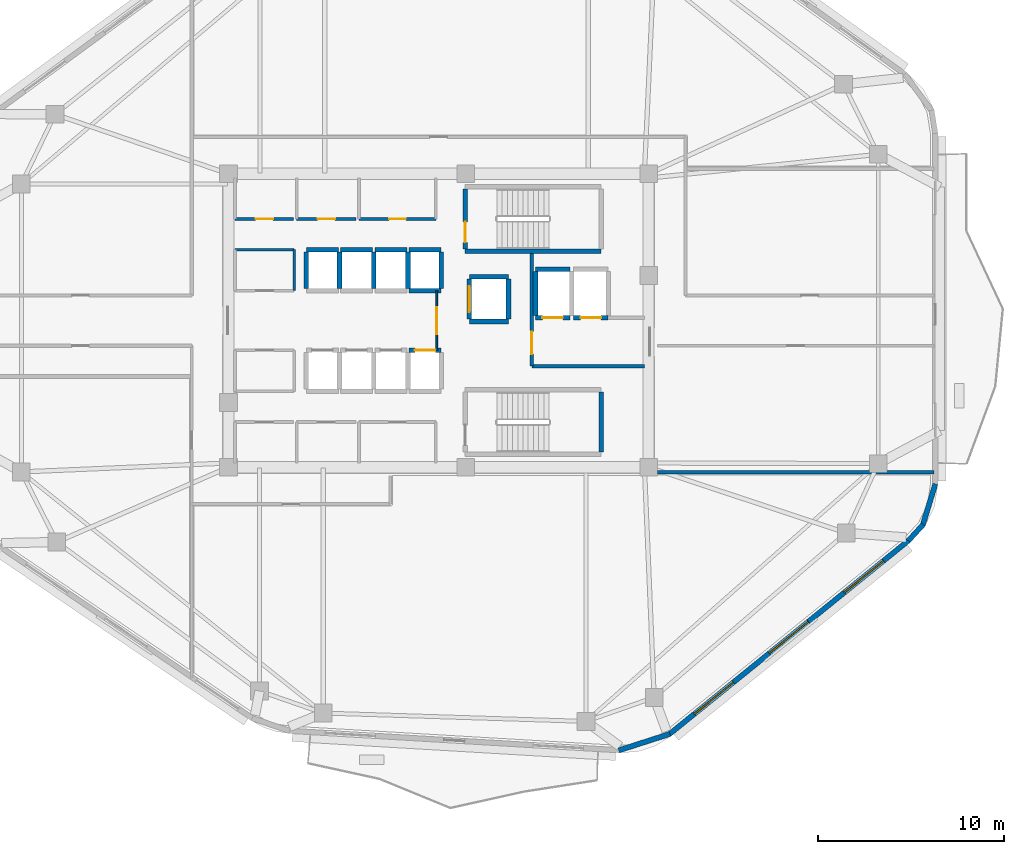
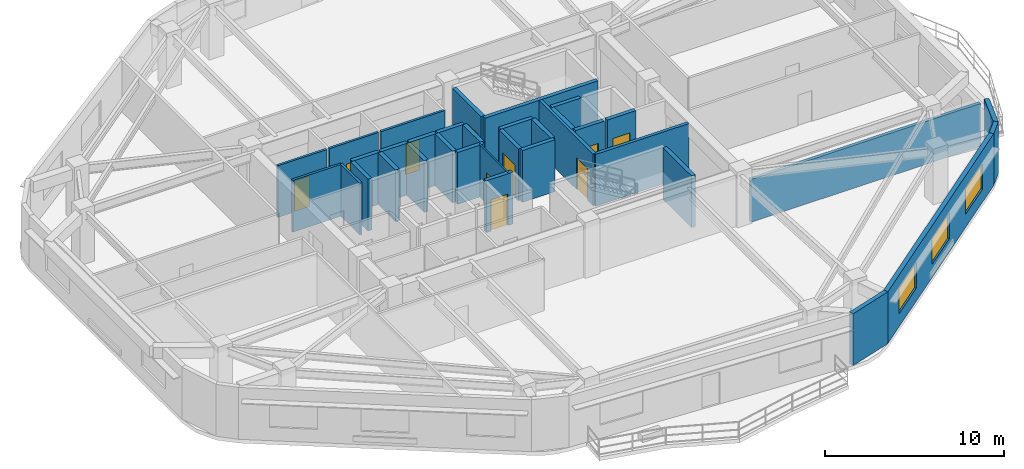
# One storey, part 4 of 8: 35 walls, 10 doors, 3 windows, 13 openings.
"""IFC4 building model written with IfcOpenShell, lengths in metres."""

from ifc_helpers import new_model, si_unit, direction, frame, frame_2d, origin, place, context, subcontext, project, spatial, rectangle, extrude, material, layer, layer_set, type_object, element, fill, save


model = new_model("IFC4")

# Units and contexts
model_context = context("Model", 3, precision=1e-05, world=origin(), true_north=direction((0.0, 1.0)))
body_context = subcontext(model_context, "Body", "Model", "MODEL_VIEW")
ifc_project = project(units=[si_unit("LENGTHUNIT", "METRE"), si_unit("AREAUNIT", "SQUARE_METRE"), si_unit("VOLUMEUNIT", "CUBIC_METRE"), si_unit("PLANEANGLEUNIT", "RADIAN"), si_unit("MASSUNIT", "GRAM", prefix="KILO")], contexts=[model_context])

# Site, building, storey
site_placement = place(None, origin())
site = spatial("IfcSite", under=ifc_project, at=site_placement, CompositionType="ELEMENT")
building_placement = place(site_placement, origin())
building = spatial("IfcBuilding", under=site, at=building_placement, Name="Zulverin Broadcast Headquarters", CompositionType="ELEMENT")
storey_placement = place(building_placement, frame((0.0, 0.0, 204.800048828125)))
storey = spatial("IfcBuildingStorey", under=building, at=storey_placement, Name="L52", CompositionType="ELEMENT", Elevation=204.800048828125)

# Wall
ifc_material_1 = material(Name="Acoustic drywall steel stud", Category="steel")
ifc_layer_1 = layer(ifc_material_1, 0.199951171875, Name="Acoustic drywall steel stud", Category="steel")
ifc_layer_set_1 = layer_set([ifc_layer_1], Name="Acoustic drywall steel stud")
wall_type_1 = type_object("IfcWallType", Name="WL-ACOU-200", PredefinedType="PARTITIONING", material=ifc_layer_set_1)
wall_1_placement = place(storey_placement, frame((48.739990234375, 17.050048828125, 0.0), z_axis=(0.0, 0.0, 1.0), x_axis=(1.0, 0.0, 0.0)))
element("IfcWall", 1, at=wall_1_placement, inside=storey, type_object=wall_type_1, Name="L52 Room Partition Wall RP-06", PredefinedType="PARTITIONING", context=body_context, shape_type="SweptSolid", body=[
    extrude(rectangle(XDim=14.85498046875, YDim=0.199951171875, at=frame_2d((7.427490234375, 0.0))), origin(), (0.0, 0.0, 1.0), 2.9228515625),
])

# Wall, openings, windows
ifc_material_2 = material(Name="Insulated pale-metal clad concrete spandrel C40/50", Category="concrete")
ifc_layer_2 = layer(ifc_material_2, 0.280029296875, Name="Insulated pale-metal clad concrete spandrel C40/50", Category="concrete")
ifc_layer_set_2 = layer_set([ifc_layer_2], Name="Insulated pale-metal clad concrete spandrel C40/50")
wall_type_2 = type_object("IfcWallType", Name="WL-EXT-280", PredefinedType="STANDARD", material=ifc_layer_set_2)
wall_2_placement = place(storey_placement, frame((49.372314453125, 2.98388671875, 0.0), z_axis=(0.0, 0.0, 1.0), x_axis=(0.777278899851, 0.629156190343, 0.0)))
wall_2 = element("IfcWall", 2, at=wall_2_placement, inside=storey, type_object=wall_type_2, Name="L52 Pale-Metal Clad Spandrel Wall 2", PredefinedType="STANDARD", context=body_context, shape_type="SweptSolid", body=[
    extrude(rectangle(XDim=16.5400390625, YDim=0.280029296875, at=frame_2d((8.27001953125, 0.0))), origin(), (0.0, 0.0, 1.0), 3.5400390625),
])
opening_1_placement = place(wall_2_placement, frame((1.739990234375, 0.0, 0.89990234375)))
opening_1 = element("IfcOpeningElement", 3, at=opening_1_placement, cuts=wall_2, Name="Opening W-L52-E21", PredefinedType="OPENING", context=body_context, shape_type="SweptSolid", body=[
    extrude(rectangle(XDim=2.699951171875, YDim=1.75, at=frame_2d((1.35009765625, 0.875))), frame((0.0, 0.14990234375, 0.0), z_axis=(0.0, -1.0, 0.0), x_axis=(1.0, 0.0, 0.0)), (0.0, 0.0, 1.0), 0.300048828125),
])
opening_2_placement = place(wall_2_placement, frame((6.919921875, 0.0, 0.89990234375)))
opening_2 = element("IfcOpeningElement", 4, at=opening_2_placement, cuts=wall_2, Name="Opening W-L52-E22", PredefinedType="OPENING", context=body_context, shape_type="SweptSolid", body=[
    extrude(rectangle(XDim=2.699951171875, YDim=1.75, at=frame_2d((1.35009765625, 0.875))), frame((0.0, 0.14990234375, 0.0), z_axis=(0.0, -1.0, 0.0), x_axis=(1.0, 0.0, 0.0)), (0.0, 0.0, 1.0), 0.300048828125),
])
opening_3_placement = place(wall_2_placement, frame((12.10009765625, 0.0, 0.89990234375)))
opening_3 = element("IfcOpeningElement", 5, at=opening_3_placement, cuts=wall_2, Name="Opening W-L52-E23", PredefinedType="OPENING", context=body_context, shape_type="SweptSolid", body=[
    extrude(rectangle(XDim=2.699951171875, YDim=1.75, at=frame_2d((1.35009765625, 0.875))), frame((0.0, 0.14990234375, 0.0), z_axis=(0.0, -1.0, 0.0), x_axis=(1.0, 0.0, 0.0)), (0.0, 0.0, 1.0), 0.300048828125),
])
ifc_material_3 = material(Name="Pale anodized aluminium frame with solar-control low-E double glazing", Category="aluminium")
window_type = type_object("IfcWindowType", Name="WIN-TWR-2700", PartitioningType="SINGLE_PANEL", PredefinedType="WINDOW", material=ifc_material_3)
window_1_placement = place(opening_1_placement, origin())
window_1 = element("IfcWindow", 6, at=window_1_placement, inside=storey, type_object=window_type, Name="L52 Ribbon Glazing Window 2 1", OverallHeight=1.75, OverallWidth=2.699951171875, PartitioningType="SINGLE_PANEL", PredefinedType="WINDOW", context=body_context, shape_type="SweptSolid", body=[
    extrude(rectangle(XDim=2.699951171875, YDim=1.75, at=frame_2d((1.35009765625, 0.875))), frame((0.0, 0.030029296875, 0.0), z_axis=(0.0, -1.0, 0.0), x_axis=(1.0, 0.0, 0.0)), (0.0, 0.0, 1.0), 0.06005859375),
])
fill(opening_1, window_1)
window_2_placement = place(opening_2_placement, origin())
window_2 = element("IfcWindow", 7, at=window_2_placement, inside=storey, type_object=window_type, Name="L52 Ribbon Glazing Window 2 2", OverallHeight=1.75, OverallWidth=2.699951171875, PartitioningType="SINGLE_PANEL", PredefinedType="WINDOW", context=body_context, shape_type="SweptSolid", body=[
    extrude(rectangle(XDim=2.699951171875, YDim=1.75, at=frame_2d((1.35009765625, 0.875))), frame((0.0, 0.030029296875, 0.0), z_axis=(0.0, -1.0, 0.0), x_axis=(1.0, 0.0, 0.0)), (0.0, 0.0, 1.0), 0.06005859375),
])
fill(opening_2, window_2)
window_3_placement = place(opening_3_placement, origin())
window_3 = element("IfcWindow", 8, at=window_3_placement, inside=storey, type_object=window_type, Name="L52 Ribbon Glazing Window 2 3", OverallHeight=1.75, OverallWidth=2.699951171875, PartitioningType="SINGLE_PANEL", PredefinedType="WINDOW", context=body_context, shape_type="SweptSolid", body=[
    extrude(rectangle(XDim=2.699951171875, YDim=1.75, at=frame_2d((1.35009765625, 0.875))), frame((0.0, 0.030029296875, 0.0), z_axis=(0.0, -1.0, 0.0), x_axis=(1.0, 0.0, 0.0)), (0.0, 0.0, 1.0), 0.06005859375),
])
fill(opening_3, window_3)

# Walls
wall_3_placement = place(storey_placement, frame((46.666259765625, 2.124267578125, 0.0), z_axis=(0.0, 0.0, 1.0), x_axis=(0.952065470694, 0.305894327363, 0.0)))
element("IfcWall", 9, at=wall_3_placement, inside=storey, type_object=wall_type_2, Name="L52 Wind-Shaped Corner Spandrel Wall 1-1", PredefinedType="STANDARD", context=body_context, shape_type="SweptSolid", body=[
    extrude(rectangle(XDim=2.889892578125, YDim=0.280029296875, at=frame_2d((1.44482421875, 0.0))), origin(), (0.0, 0.0, 1.0), 3.5400390625),
])
wall_4_placement = place(storey_placement, frame((62.21337890625, 13.3759765625, 0.0), z_axis=(0.0, 0.0, 1.0), x_axis=(0.675790054291, 0.737094161232, 0.0)))
element("IfcWall", 10, at=wall_4_placement, inside=storey, type_object=wall_type_2, Name="L52 Wind-Shaped Corner Spandrel Wall 2-1", PredefinedType="STANDARD", context=body_context, shape_type="SweptSolid", body=[
    extrude(rectangle(XDim=1.182861328125, YDim=0.280029296875, at=frame_2d((0.59130859375, 0.0))), origin(), (0.0, 0.0, 1.0), 3.5400390625),
])
wall_5_placement = place(storey_placement, frame((62.98193359375, 14.194091796875, 0.0), z_axis=(0.0, 0.0, 1.0), x_axis=(0.292398811023, 0.956296468315, 0.0)))
element("IfcWall", 11, at=wall_5_placement, inside=storey, type_object=wall_type_2, Name="L52 Wind-Shaped Corner Spandrel Wall 2-2", PredefinedType="STANDARD", context=body_context, shape_type="SweptSolid", body=[
    extrude(rectangle(XDim=2.339599609375, YDim=0.280029296875, at=frame_2d((1.169921875, 0.0))), origin(), (0.0, 0.0, 1.0), 3.5400390625),
])

# Wall, opening, door
ifc_material_4 = material(Name="Concrete C40/50", Category="concrete")
ifc_layer_3 = layer(ifc_material_4, 0.199951171875, Name="Concrete C40/50", Category="concrete")
ifc_layer_set_3 = layer_set([ifc_layer_3], Name="Concrete C40/50")
wall_type_3 = type_object("IfcWallType", Name="WL-FFL-200", PredefinedType="SOLIDWALL", material=ifc_layer_set_3)
wall_6_placement = place(storey_placement, frame((42.0, 22.75, 0.0), z_axis=(0.0, 0.0, 1.0), x_axis=(0.0, 1.0, 0.0)))
wall_6 = element("IfcWall", 12, at=wall_6_placement, inside=storey, type_object=wall_type_3, Name="L52 Firefighting Lift Lobby West Wall", PredefinedType="SOLIDWALL", context=body_context, shape_type="SweptSolid", body=[
    extrude(rectangle(XDim=6.050048828125, YDim=0.199951171875, at=frame_2d((3.02490234375, 0.0))), origin(), (0.0, 0.0, 1.0), 3.5400390625),
])
opening_4_placement = place(wall_6_placement, frame((0.64990234375, 0.0, 0.0)))
opening_4 = element("IfcOpeningElement", 13, at=opening_4_placement, cuts=wall_6, Name="Opening D-L52-FFLW", PredefinedType="OPENING", context=body_context, shape_type="SweptSolid", body=[
    extrude(rectangle(XDim=1.199951171875, YDim=2.14990234375, at=frame_2d((0.60009765625, 1.074951171875))), frame((0.0, 0.10986328125, 0.0), z_axis=(0.0, -1.0, 0.0), x_axis=(1.0, 0.0, 0.0)), (0.0, 0.0, 1.0), 0.219970703125),
])
ifc_material_5 = material(Name="Fire-rated steel leaf and frame", Category="steel")
door_type_1 = type_object("IfcDoorType", Name="DR-FFL-1200", OperationType="SINGLE_SWING_RIGHT", PredefinedType="DOOR", material=ifc_material_5)
door_1_placement = place(opening_4_placement, origin())
door_1 = element("IfcDoor", 14, at=door_1_placement, inside=storey, type_object=door_type_1, Name="L52 Firefighting Lift Lobby Door", OperationType="SINGLE_SWING_RIGHT", OverallHeight=2.14990234375, OverallWidth=1.199951171875, PredefinedType="DOOR", context=body_context, shape_type="SweptSolid", body=[
    extrude(rectangle(XDim=1.199951171875, YDim=2.14990234375, at=frame_2d((0.60009765625, 1.074951171875))), frame((0.0, 0.02490234375, 0.0), z_axis=(0.0, -1.0, 0.0), x_axis=(1.0, 0.0, 0.0)), (0.0, 0.0, 1.0), 0.050048828125),
])
fill(opening_4, door_1)

# Wall
wall_7_placement = place(storey_placement, frame((42.0, 22.75, 0.0), z_axis=(0.0, 0.0, 1.0), x_axis=(1.0, 0.0, 0.0)))
element("IfcWall", 15, at=wall_7_placement, inside=storey, type_object=wall_type_3, Name="L52 Firefighting Lift Lobby South Wall", PredefinedType="SOLIDWALL", context=body_context, shape_type="SweptSolid", body=[
    extrude(rectangle(XDim=6.050048828125, YDim=0.199951171875, at=frame_2d((3.02490234375, 0.0))), origin(), (0.0, 0.0, 1.0), 3.5400390625),
])

# Wall, opening, door
ifc_material_6 = material(Name="Fire-rated acoustic laminated glass screen", Category="glass")
ifc_layer_4 = layer(ifc_material_6, 0.10009765625, Name="Fire-rated acoustic laminated glass screen", Category="glass")
ifc_layer_set_4 = layer_set([ifc_layer_4], Name="Fire-rated acoustic laminated glass screen")
wall_type_4 = type_object("IfcWallType", Name="WL-GLAZ-100", PredefinedType="PARTITIONING", material=ifc_layer_set_4)
wall_8_placement = place(storey_placement, frame((36.89990234375, 23.60009765625, 0.0), z_axis=(0.0, 0.0, 1.0), x_axis=(0.0, 1.0, 0.0)))
wall_8 = element("IfcWall", 16, at=wall_8_placement, inside=storey, type_object=wall_type_4, Name="L52 Core Goods & Stair Hall Screen", PredefinedType="PARTITIONING", context=body_context, shape_type="SweptSolid", body=[
    extrude(rectangle(XDim=3.199951171875, YDim=0.10009765625, at=frame_2d((1.60009765625, 0.0))), origin(), (0.0, 0.0, 1.0), 3.5400390625),
])
opening_5_placement = place(wall_8_placement, frame((0.85009765625, 0.0, 0.0)))
opening_5 = element("IfcOpeningElement", 17, at=opening_5_placement, cuts=wall_8, Name="Opening D-L52-CL3", PredefinedType="OPENING", context=body_context, shape_type="SweptSolid", body=[
    extrude(rectangle(XDim=1.449951171875, YDim=2.1201171875, at=frame_2d((0.72509765625, 1.06005859375))), frame((0.0, 0.06005859375, 0.0), z_axis=(0.0, -1.0, 0.0), x_axis=(1.0, 0.0, 0.0)), (0.0, 0.0, 1.0), 0.1201171875),
])
ifc_material_7 = material(Name="Fire-rated acoustic glazed double leaf", Category="glass")
door_type_2 = type_object("IfcDoorType", Name="DR-GLZ-1450", OperationType="DOUBLE_DOOR_SINGLE_SWING", PredefinedType="DOOR", material=ifc_material_7)
door_2_placement = place(opening_5_placement, origin())
door_2 = element("IfcDoor", 18, at=door_2_placement, inside=storey, type_object=door_type_2, Name="L52 Core Goods & Stair Hall Door", OperationType="DOUBLE_DOOR_SINGLE_SWING", OverallHeight=2.1201171875, OverallWidth=1.449951171875, PredefinedType="DOOR", context=body_context, shape_type="SweptSolid", body=[
    extrude(rectangle(XDim=1.449951171875, YDim=2.1201171875, at=frame_2d((0.72509765625, 1.06005859375))), frame((0.0, 0.02490234375, 0.0), z_axis=(0.0, -1.0, 0.0), x_axis=(1.0, 0.0, 0.0)), (0.0, 0.0, 1.0), 0.050048828125),
])
fill(opening_5, door_2)

ifc_material_8 = material(Name="Fire-rated gypsum stud partition", Category="gypsum")
ifc_layer_5 = layer(ifc_material_8, 0.14990234375, Name="Fire-rated gypsum stud partition", Category="gypsum")
ifc_layer_set_5 = layer_set([ifc_layer_5], Name="Fire-rated gypsum stud partition")
wall_type_5 = type_object("IfcWallType", Name="WL-PART-150", PredefinedType="PARTITIONING", material=ifc_layer_set_5)
wall_9_placement = place(storey_placement, frame((26.070068359375, 30.64990234375, 0.0), z_axis=(0.0, 0.0, 1.0), x_axis=(1.0, 0.0, 0.0)))
wall_9 = element("IfcWall", 19, at=wall_9_placement, inside=storey, type_object=wall_type_5, Name="L52 Core Male WC Front Wall", PredefinedType="PARTITIONING", context=body_context, shape_type="SweptSolid", body=[
    extrude(rectangle(XDim=3.14990234375, YDim=0.14990234375, at=frame_2d((1.574951171875, 0.0))), origin(), (0.0, 0.0, 1.0), 3.5400390625),
])
opening_6_placement = place(wall_9_placement, frame((1.10009765625, 0.0, 0.0)))
opening_6 = element("IfcOpeningElement", 20, at=opening_6_placement, cuts=wall_9, Name="Opening D-L52-NC1", PredefinedType="OPENING", context=body_context, shape_type="SweptSolid", body=[
    extrude(rectangle(XDim=0.949951171875, YDim=2.10009765625, at=frame_2d((0.47509765625, 1.050048828125))), frame((0.0, 0.0849609375, 0.0), z_axis=(0.0, -1.0, 0.0), x_axis=(1.0, 0.0, 0.0)), (0.0, 0.0, 1.0), 0.169921875),
])
ifc_material_9 = material(Name="Fire-rated moisture-resistant laminate leaf", Category="wood")
door_type_3 = type_object("IfcDoorType", Name="DR-WC-950", OperationType="SINGLE_SWING_LEFT", PredefinedType="DOOR", material=ifc_material_9)
door_3_placement = place(opening_6_placement, origin())
door_3 = element("IfcDoor", 21, at=door_3_placement, inside=storey, type_object=door_type_3, Name="L52 Male WC Door", OperationType="SINGLE_SWING_LEFT", OverallHeight=2.10009765625, OverallWidth=0.949951171875, PredefinedType="DOOR", context=body_context, shape_type="SweptSolid", body=[
    extrude(rectangle(XDim=0.949951171875, YDim=2.10009765625, at=frame_2d((0.47509765625, 1.050048828125))), frame((0.0, 0.02490234375, 0.0), z_axis=(0.0, -1.0, 0.0), x_axis=(1.0, 0.0, 0.0)), (0.0, 0.0, 1.0), 0.050048828125),
])
fill(opening_6, door_3)

wall_10_placement = place(storey_placement, frame((29.3798828125, 30.64990234375, 0.0), z_axis=(0.0, 0.0, 1.0), x_axis=(1.0, 0.0, 0.0)))
wall_10 = element("IfcWall", 22, at=wall_10_placement, inside=storey, type_object=wall_type_5, Name="L52 Core Accessible WC Front Wall", PredefinedType="PARTITIONING", context=body_context, shape_type="SweptSolid", body=[
    extrude(rectangle(XDim=3.190185546875, YDim=0.14990234375, at=frame_2d((1.59521484375, 0.0))), origin(), (0.0, 0.0, 1.0), 3.5400390625),
])
opening_7_placement = place(wall_10_placement, frame((1.1201171875, 0.0, 0.0)))
opening_7 = element("IfcOpeningElement", 23, at=opening_7_placement, cuts=wall_10, Name="Opening D-L52-NC2", PredefinedType="OPENING", context=body_context, shape_type="SweptSolid", body=[
    extrude(rectangle(XDim=0.949951171875, YDim=2.10009765625, at=frame_2d((0.47509765625, 1.050048828125))), frame((0.0, 0.0849609375, 0.0), z_axis=(0.0, -1.0, 0.0), x_axis=(1.0, 0.0, 0.0)), (0.0, 0.0, 1.0), 0.169921875),
])
door_4_placement = place(opening_7_placement, origin())
door_4 = element("IfcDoor", 24, at=door_4_placement, inside=storey, type_object=door_type_3, Name="L52 Accessible WC Door", OperationType="SINGLE_SWING_RIGHT", OverallHeight=2.10009765625, OverallWidth=0.949951171875, PredefinedType="DOOR", context=body_context, shape_type="SweptSolid", body=[
    extrude(rectangle(XDim=0.949951171875, YDim=2.10009765625, at=frame_2d((0.47509765625, 1.050048828125))), frame((0.0, 0.02490234375, 0.0), z_axis=(0.0, -1.0, 0.0), x_axis=(1.0, 0.0, 0.0)), (0.0, 0.0, 1.0), 0.050048828125),
])
fill(opening_7, door_4)

wall_11_placement = place(storey_placement, frame((32.72998046875, 30.64990234375, 0.0), z_axis=(0.0, 0.0, 1.0), x_axis=(1.0, 0.0, 0.0)))
wall_11 = element("IfcWall", 25, at=wall_11_placement, inside=storey, type_object=wall_type_5, Name="L52 Core Electrical Distribution Riser Front Wall", PredefinedType="PARTITIONING", context=body_context, shape_type="SweptSolid", body=[
    extrude(rectangle(XDim=4.1201171875, YDim=0.14990234375, at=frame_2d((2.06005859375, 0.0))), origin(), (0.0, 0.0, 1.0), 3.5400390625),
])
opening_8_placement = place(wall_11_placement, frame((1.610107421875, 0.0, 0.0)))
opening_8 = element("IfcOpeningElement", 26, at=opening_8_placement, cuts=wall_11, Name="Opening D-L52-NC3", PredefinedType="OPENING", context=body_context, shape_type="SweptSolid", body=[
    extrude(rectangle(XDim=0.89990234375, YDim=2.10009765625, at=frame_2d((0.449951171875, 1.050048828125))), frame((0.0, 0.0849609375, 0.0), z_axis=(0.0, -1.0, 0.0), x_axis=(1.0, 0.0, 0.0)), (0.0, 0.0, 1.0), 0.169921875),
])
ifc_material_10 = material(Name="Powder-coated steel access leaf", Category="steel")
door_type_4 = type_object("IfcDoorType", Name="DR-RISER-900", OperationType="SINGLE_SWING_LEFT", PredefinedType="DOOR", material=ifc_material_10)
door_5_placement = place(opening_8_placement, origin())
door_5 = element("IfcDoor", 27, at=door_5_placement, inside=storey, type_object=door_type_4, Name="L52 Electrical Distribution Riser Door", OperationType="SINGLE_SWING_LEFT", OverallHeight=2.10009765625, OverallWidth=0.89990234375, PredefinedType="DOOR", context=body_context, shape_type="SweptSolid", body=[
    extrude(rectangle(XDim=0.89990234375, YDim=2.10009765625, at=frame_2d((0.449951171875, 1.050048828125))), frame((0.0, 0.02490234375, 0.0), z_axis=(0.0, -1.0, 0.0), x_axis=(1.0, 0.0, 0.0)), (0.0, 0.0, 1.0), 0.050048828125),
])
fill(opening_8, door_5)

# Walls
wall_12_placement = place(storey_placement, frame((26.070068359375, 29.0, 0.0), z_axis=(0.0, 0.0, 1.0), x_axis=(1.0, 0.0, 0.0)))
element("IfcWall", 28, at=wall_12_placement, inside=storey, type_object=wall_type_5, Name="L52 Core UPS Battery Store N Wall", PredefinedType="PARTITIONING", context=body_context, shape_type="SweptSolid", body=[
    extrude(rectangle(XDim=3.179931640625, YDim=0.14990234375, at=frame_2d((1.58984375, 0.0))), origin(), (0.0, 0.0, 1.0), 3.5400390625),
])
wall_13_placement = place(storey_placement, frame((29.25, 26.800048828125, 0.0), z_axis=(0.0, 0.0, 1.0), x_axis=(0.0, 1.0, 0.0)))
element("IfcWall", 29, at=wall_13_placement, inside=storey, type_object=wall_type_5, Name="L52 Core UPS Battery Store E Wall", PredefinedType="PARTITIONING", context=body_context, shape_type="SweptSolid", body=[
    extrude(rectangle(XDim=2.199951171875, YDim=0.14990234375, at=frame_2d((1.10009765625, 0.0))), origin(), (0.0, 0.0, 1.0), 3.5400390625),
])
ifc_material_11 = material(Name="Concrete C50/60", Category="concrete")
ifc_layer_6 = layer(ifc_material_11, 0.25, Name="Concrete C50/60", Category="concrete")
ifc_layer_set_6 = layer_set([ifc_layer_6], Name="Concrete C50/60")
wall_type_6 = type_object("IfcWallType", Name="WL-SHAFT-250", PredefinedType="SHEAR", material=ifc_layer_set_6)
wall_14_placement = place(storey_placement, frame((38.425048828125, 28.925048828125, 0.0), z_axis=(0.0, 0.0, 1.0), x_axis=(1.0, 0.0, 0.0)))
element("IfcWall", 30, at=wall_14_placement, inside=storey, type_object=wall_type_6, Name="L52 ST-1 Enclosure Wall S", PredefinedType="SHEAR", context=body_context, shape_type="SweptSolid", body=[
    extrude(rectangle(XDim=7.300048828125, YDim=0.25, at=frame_2d((3.64990234375, 0.0))), origin(), (0.0, 0.0, 1.0), 3.5400390625),
])

# Wall, opening, door
wall_15_placement = place(storey_placement, frame((38.425048828125, 29.050048828125, 0.0), z_axis=(0.0, 0.0, 1.0), x_axis=(0.0, 1.0, 0.0)))
wall_15 = element("IfcWall", 31, at=wall_15_placement, inside=storey, type_object=wall_type_6, Name="L52 ST-1 Enclosure Wall W", PredefinedType="SHEAR", context=body_context, shape_type="SweptSolid", body=[
    extrude(rectangle(XDim=3.199951171875, YDim=0.25, at=frame_2d((1.60009765625, 0.0))), origin(), (0.0, 0.0, 1.0), 3.5400390625),
])
opening_9_placement = place(wall_15_placement, frame((0.35009765625, 0.0, 0.0)))
opening_9 = element("IfcOpeningElement", 32, at=opening_9_placement, cuts=wall_15, Name="Opening D-L52-ST-1", PredefinedType="OPENING", context=body_context, shape_type="SweptSolid", body=[
    extrude(rectangle(XDim=1.10009765625, YDim=2.14990234375, at=frame_2d((0.550048828125, 1.074951171875))), frame((0.0, 0.135009765625, 0.0), z_axis=(0.0, -1.0, 0.0), x_axis=(1.0, 0.0, 0.0)), (0.0, 0.0, 1.0), 0.27001953125),
])
door_type_5 = type_object("IfcDoorType", Name="DR-STAIR-1100", OperationType="SINGLE_SWING_LEFT", PredefinedType="DOOR", material=ifc_material_5)
door_6_placement = place(opening_9_placement, origin())
door_6 = element("IfcDoor", 33, at=door_6_placement, inside=storey, type_object=door_type_5, Name="L52 Exit Stair ST-1 Fire Door", OperationType="SINGLE_SWING_LEFT", OverallHeight=2.14990234375, OverallWidth=1.10009765625, PredefinedType="DOOR", context=body_context, shape_type="SweptSolid", body=[
    extrude(rectangle(XDim=1.10009765625, YDim=2.14990234375, at=frame_2d((0.550048828125, 1.074951171875))), frame((0.0, 0.02490234375, 0.0), z_axis=(0.0, -1.0, 0.0), x_axis=(1.0, 0.0, 0.0)), (0.0, 0.0, 1.0), 0.050048828125),
])
fill(opening_9, door_6)

# Wall
wall_16_placement = place(storey_placement, frame((45.72509765625, 18.14990234375, 0.0), z_axis=(0.0, 0.0, 1.0), x_axis=(0.0, 1.0, 0.0)))
element("IfcWall", 34, at=wall_16_placement, inside=storey, type_object=wall_type_6, Name="L52 ST-2 Enclosure Wall E", PredefinedType="SHEAR", context=body_context, shape_type="SweptSolid", body=[
    extrude(rectangle(XDim=3.2001953125, YDim=0.25, at=frame_2d((1.60009765625, 0.0))), origin(), (0.0, 0.0, 1.0), 3.5400390625),
])

# Wall, opening, door
wall_17_placement = place(storey_placement, frame((35.419921875, 23.60009765625, 0.0), z_axis=(0.0, 0.0, 1.0), x_axis=(1.0, 0.0, 0.0)))
wall_17 = element("IfcWall", 35, at=wall_17_placement, inside=storey, type_object=wall_type_6, Name="L52 Lift PL-M4 Shaft Wall N", PredefinedType="SHEAR", context=body_context, shape_type="SweptSolid", body=[
    extrude(rectangle(XDim=1.719970703125, YDim=0.25, at=frame_2d((0.85986328125, 0.0))), origin(), (0.0, 0.0, 1.0), 3.5400390625),
])
opening_10_placement = place(wall_17_placement, frame((0.31005859375, 0.0, 0.0)))
opening_10 = element("IfcOpeningElement", 36, at=opening_10_placement, cuts=wall_17, Name="Opening LD-PL-M4-L52", PredefinedType="OPENING", context=body_context, shape_type="SweptSolid", body=[
    extrude(rectangle(XDim=1.10009765625, YDim=2.14990234375, at=frame_2d((0.550048828125, 1.074951171875))), frame((0.0, 0.135009765625, 0.0), z_axis=(0.0, -1.0, 0.0), x_axis=(1.0, 0.0, 0.0)), (0.0, 0.0, 1.0), 0.27001953125),
])
ifc_material_12 = material(Name="Brushed stainless steel landing", Category="steel")
door_type_6 = type_object("IfcDoorType", Name="LD-PASS-1100", OperationType="DOUBLE_DOOR_SLIDING", PredefinedType="DOOR", material=ifc_material_12)
door_7_placement = place(opening_10_placement, origin())
door_7 = element("IfcDoor", 37, at=door_7_placement, inside=storey, type_object=door_type_6, Name="L52 Lift PL-M4 Sliding Landing Door", OperationType="DOUBLE_DOOR_SLIDING", OverallHeight=2.14990234375, OverallWidth=1.10009765625, PredefinedType="DOOR", context=body_context, shape_type="SweptSolid", body=[
    extrude(rectangle(XDim=1.10009765625, YDim=2.14990234375, at=frame_2d((0.550048828125, 1.074951171875))), frame((0.0, 0.02490234375, 0.0), z_axis=(0.0, -1.0, 0.0), x_axis=(1.0, 0.0, 0.0)), (0.0, 0.0, 1.0), 0.050048828125),
])
fill(opening_10, door_7)

# Walls
wall_18_placement = place(storey_placement, frame((29.89990234375, 29.0, 0.0), z_axis=(0.0, 0.0, 1.0), x_axis=(1.0, 0.0, 0.0)))
element("IfcWall", 38, at=wall_18_placement, inside=storey, type_object=wall_type_6, Name="L52 Lift PL-H1 Shaft Wall N", PredefinedType="SHEAR", context=body_context, shape_type="SweptSolid", body=[
    extrude(rectangle(XDim=1.72021484375, YDim=0.25, at=frame_2d((0.860107421875, 0.0))), origin(), (0.0, 0.0, 1.0), 3.5400390625),
])
for number, where, z_axis, x_axis, name in (
    (39, (29.89990234375, 26.919921875, 0.0), (0.0, 0.0, 1.0), (0.0, 1.0, 0.0), "L52 Lift PL-H1 Shaft Wall W"),
    (40, (31.679931640625, 26.919921875, 0.0), (0.0, 0.0, 1.0), (0.0, 1.0, 0.0), "L52 Lift PL-H1 Shaft Wall E"),
):
    element("IfcWall", number, at=place(storey_placement, frame(where, z_axis=z_axis, x_axis=x_axis)), inside=storey, type_object=wall_type_6, Name=name, PredefinedType="SHEAR", context=body_context, shape_type="SweptSolid", body=[
        extrude(rectangle(XDim=1.9599609375, YDim=0.25, at=frame_2d((0.97998046875, 0.0))), origin(), (0.0, 0.0, 1.0), 3.5400390625),
    ])
wall_19_placement = place(storey_placement, frame((31.739990234375, 29.0, 0.0), z_axis=(0.0, 0.0, 1.0), x_axis=(1.0, 0.0, 0.0)))
element("IfcWall", 41, at=wall_19_placement, inside=storey, type_object=wall_type_6, Name="L52 Lift PL-H2 Shaft Wall N", PredefinedType="SHEAR", context=body_context, shape_type="SweptSolid", body=[
    extrude(rectangle(XDim=1.719970703125, YDim=0.25, at=frame_2d((0.85986328125, 0.0))), origin(), (0.0, 0.0, 1.0), 3.5400390625),
])
wall_20_placement = place(storey_placement, frame((33.52001953125, 26.919921875, 0.0), z_axis=(0.0, 0.0, 1.0), x_axis=(0.0, 1.0, 0.0)))
element("IfcWall", 42, at=wall_20_placement, inside=storey, type_object=wall_type_6, Name="L52 Lift PL-H2 Shaft Wall E", PredefinedType="SHEAR", context=body_context, shape_type="SweptSolid", body=[
    extrude(rectangle(XDim=1.9599609375, YDim=0.25, at=frame_2d((0.97998046875, 0.0))), origin(), (0.0, 0.0, 1.0), 3.5400390625),
])
wall_21_placement = place(storey_placement, frame((33.580078125, 29.0, 0.0), z_axis=(0.0, 0.0, 1.0), x_axis=(1.0, 0.0, 0.0)))
element("IfcWall", 43, at=wall_21_placement, inside=storey, type_object=wall_type_6, Name="L52 Lift PL-H3 Shaft Wall N", PredefinedType="SHEAR", context=body_context, shape_type="SweptSolid", body=[
    extrude(rectangle(XDim=1.719970703125, YDim=0.25, at=frame_2d((0.85986328125, 0.0))), origin(), (0.0, 0.0, 1.0), 3.5400390625),
])
wall_22_placement = place(storey_placement, frame((35.360107421875, 26.919921875, 0.0), z_axis=(0.0, 0.0, 1.0), x_axis=(0.0, 1.0, 0.0)))
element("IfcWall", 44, at=wall_22_placement, inside=storey, type_object=wall_type_6, Name="L52 Lift PL-H3 Shaft Wall E", PredefinedType="SHEAR", context=body_context, shape_type="SweptSolid", body=[
    extrude(rectangle(XDim=1.9599609375, YDim=0.25, at=frame_2d((0.97998046875, 0.0))), origin(), (0.0, 0.0, 1.0), 3.5400390625),
])
for number, where, z_axis, x_axis, name in (
    (45, (35.419921875, 26.800048828125, 0.0), (0.0, 0.0, 1.0), (1.0, 0.0, 0.0), "L52 Lift PL-H4 Shaft Wall S"),
    (46, (35.419921875, 29.0, 0.0), (0.0, 0.0, 1.0), (1.0, 0.0, 0.0), "L52 Lift PL-H4 Shaft Wall N"),
):
    element("IfcWall", number, at=place(storey_placement, frame(where, z_axis=z_axis, x_axis=x_axis)), inside=storey, type_object=wall_type_6, Name=name, PredefinedType="SHEAR", context=body_context, shape_type="SweptSolid", body=[
        extrude(rectangle(XDim=1.719970703125, YDim=0.25, at=frame_2d((0.85986328125, 0.0))), origin(), (0.0, 0.0, 1.0), 3.5400390625),
    ])
wall_23_placement = place(storey_placement, frame((37.139892578125, 26.919921875, 0.0), z_axis=(0.0, 0.0, 1.0), x_axis=(0.0, 1.0, 0.0)))
element("IfcWall", 47, at=wall_23_placement, inside=storey, type_object=wall_type_6, Name="L52 Lift PL-H4 Shaft Wall E", PredefinedType="SHEAR", context=body_context, shape_type="SweptSolid", body=[
    extrude(rectangle(XDim=1.9599609375, YDim=0.25, at=frame_2d((0.97998046875, 0.0))), origin(), (0.0, 0.0, 1.0), 3.5400390625),
])

# Wall, opening, door
wall_24_placement = place(storey_placement, frame((42.199951171875, 25.35009765625, 0.0), z_axis=(0.0, 0.0, 1.0), x_axis=(1.0, 0.0, 0.0)))
wall_24 = element("IfcWall", 48, at=wall_24_placement, inside=storey, type_object=wall_type_6, Name="L52 Lift FFL-1 Shaft Wall S", PredefinedType="SHEAR", context=body_context, shape_type="SweptSolid", body=[
    extrude(rectangle(XDim=1.85009765625, YDim=0.25, at=frame_2d((0.925048828125, 0.0))), origin(), (0.0, 0.0, 1.0), 3.5400390625),
])
opening_11_placement = place(wall_24_placement, frame((0.375, 0.0, 0.0)))
opening_11 = element("IfcOpeningElement", 49, at=opening_11_placement, cuts=wall_24, Name="Opening LD-FFL-1-L52", PredefinedType="OPENING", context=body_context, shape_type="SweptSolid", body=[
    extrude(rectangle(XDim=1.10009765625, YDim=2.14990234375, at=frame_2d((0.550048828125, 1.074951171875))), frame((0.0, 0.135009765625, 0.0), z_axis=(0.0, -1.0, 0.0), x_axis=(1.0, 0.0, 0.0)), (0.0, 0.0, 1.0), 0.27001953125),
])
ifc_material_13 = material(Name="Fire-rated stainless landing door", Category="steel")
door_type_7 = type_object("IfcDoorType", Name="LD-FFL-1100", OperationType="DOUBLE_DOOR_SLIDING", PredefinedType="DOOR", material=ifc_material_13)
door_8_placement = place(opening_11_placement, origin())
door_8 = element("IfcDoor", 50, at=door_8_placement, inside=storey, type_object=door_type_7, Name="L52 Lift FFL-1 Sliding Landing Door", OperationType="DOUBLE_DOOR_SLIDING", OverallHeight=2.14990234375, OverallWidth=1.10009765625, PredefinedType="DOOR", context=body_context, shape_type="SweptSolid", body=[
    extrude(rectangle(XDim=1.10009765625, YDim=2.14990234375, at=frame_2d((0.550048828125, 1.074951171875))), frame((0.0, 0.02490234375, 0.0), z_axis=(0.0, -1.0, 0.0), x_axis=(1.0, 0.0, 0.0)), (0.0, 0.0, 1.0), 0.050048828125),
])
fill(opening_11, door_8)

# Walls
wall_25_placement = place(storey_placement, frame((42.199951171875, 27.949951171875, 0.0), z_axis=(0.0, 0.0, 1.0), x_axis=(1.0, 0.0, 0.0)))
element("IfcWall", 51, at=wall_25_placement, inside=storey, type_object=wall_type_6, Name="L52 Lift FFL-1 Shaft Wall N", PredefinedType="SHEAR", context=body_context, shape_type="SweptSolid", body=[
    extrude(rectangle(XDim=1.85009765625, YDim=0.25, at=frame_2d((0.925048828125, 0.0))), origin(), (0.0, 0.0, 1.0), 3.5400390625),
])
wall_26_placement = place(storey_placement, frame((42.199951171875, 25.469970703125, 0.0), z_axis=(0.0, 0.0, 1.0), x_axis=(0.0, 1.0, 0.0)))
element("IfcWall", 52, at=wall_26_placement, inside=storey, type_object=wall_type_6, Name="L52 Lift FFL-1 Shaft Wall W", PredefinedType="SHEAR", context=body_context, shape_type="SweptSolid", body=[
    extrude(rectangle(XDim=2.360107421875, YDim=0.25, at=frame_2d((1.18017578125, 0.0))), origin(), (0.0, 0.0, 1.0), 3.5400390625),
])

# Wall, opening, door
wall_27_placement = place(storey_placement, frame((44.25, 25.35009765625, 0.0), z_axis=(0.0, 0.0, 1.0), x_axis=(1.0, 0.0, 0.0)))
wall_27 = element("IfcWall", 53, at=wall_27_placement, inside=storey, type_object=wall_type_6, Name="L52 Lift FFL-2 Shaft Wall S", PredefinedType="SHEAR", context=body_context, shape_type="SweptSolid", body=[
    extrude(rectangle(XDim=1.85009765625, YDim=0.25, at=frame_2d((0.925048828125, 0.0))), origin(), (0.0, 0.0, 1.0), 3.5400390625),
])
opening_12_placement = place(wall_27_placement, frame((0.375, 0.0, 0.0)))
opening_12 = element("IfcOpeningElement", 54, at=opening_12_placement, cuts=wall_27, Name="Opening LD-FFL-2-L52", PredefinedType="OPENING", context=body_context, shape_type="SweptSolid", body=[
    extrude(rectangle(XDim=1.10009765625, YDim=2.14990234375, at=frame_2d((0.550048828125, 1.074951171875))), frame((0.0, 0.135009765625, 0.0), z_axis=(0.0, -1.0, 0.0), x_axis=(1.0, 0.0, 0.0)), (0.0, 0.0, 1.0), 0.27001953125),
])
door_9_placement = place(opening_12_placement, origin())
door_9 = element("IfcDoor", 55, at=door_9_placement, inside=storey, type_object=door_type_7, Name="L52 Lift FFL-2 Sliding Landing Door", OperationType="DOUBLE_DOOR_SLIDING", OverallHeight=2.14990234375, OverallWidth=1.10009765625, PredefinedType="DOOR", context=body_context, shape_type="SweptSolid", body=[
    extrude(rectangle(XDim=1.10009765625, YDim=2.14990234375, at=frame_2d((0.550048828125, 1.074951171875))), frame((0.0, 0.02490234375, 0.0), z_axis=(0.0, -1.0, 0.0), x_axis=(1.0, 0.0, 0.0)), (0.0, 0.0, 1.0), 0.050048828125),
])
fill(opening_12, door_9)

# Walls
for number, where, z_axis, x_axis, name in (
    (56, (38.64990234375, 25.14990234375, 0.0), (0.0, 0.0, 1.0), (1.0, 0.0, 0.0), "L52 Lift SVL-1 Shaft Wall S"),
    (57, (38.64990234375, 27.550048828125, 0.0), (0.0, 0.0, 1.0), (1.0, 0.0, 0.0), "L52 Lift SVL-1 Shaft Wall N"),
):
    element("IfcWall", number, at=place(storey_placement, frame(where, z_axis=z_axis, x_axis=x_axis)), inside=storey, type_object=wall_type_6, Name=name, PredefinedType="SHEAR", context=body_context, shape_type="SweptSolid", body=[
        extrude(rectangle(XDim=2.10009765625, YDim=0.25, at=frame_2d((1.050048828125, 0.0))), origin(), (0.0, 0.0, 1.0), 3.5400390625),
    ])

# Wall, opening, door
wall_28_placement = place(storey_placement, frame((38.64990234375, 25.27001953125, 0.0), z_axis=(0.0, 0.0, 1.0), x_axis=(0.0, 1.0, 0.0)))
wall_28 = element("IfcWall", 58, at=wall_28_placement, inside=storey, type_object=wall_type_6, Name="L52 Lift SVL-1 Shaft Wall W", PredefinedType="SHEAR", context=body_context, shape_type="SweptSolid", body=[
    extrude(rectangle(XDim=2.159912109375, YDim=0.25, at=frame_2d((1.080078125, 0.0))), origin(), (0.0, 0.0, 1.0), 3.5400390625),
])
opening_13_placement = place(wall_28_placement, frame((0.3798828125, 0.0, 0.0)))
opening_13 = element("IfcOpeningElement", 59, at=opening_13_placement, cuts=wall_28, Name="Opening LD-SVL-1-L52", PredefinedType="OPENING", context=body_context, shape_type="SweptSolid", body=[
    extrude(rectangle(XDim=1.39990234375, YDim=2.199951171875, at=frame_2d((0.699951171875, 1.10009765625))), frame((0.0, 0.135009765625, 0.0), z_axis=(0.0, -1.0, 0.0), x_axis=(1.0, 0.0, 0.0)), (0.0, 0.0, 1.0), 0.27001953125),
])
ifc_material_14 = material(Name="Heavy-duty stainless landing door", Category="steel")
door_type_8 = type_object("IfcDoorType", Name="LD-GOODS-1400", OperationType="DOUBLE_DOOR_SLIDING", PredefinedType="DOOR", material=ifc_material_14)
door_10_placement = place(opening_13_placement, origin())
door_10 = element("IfcDoor", 60, at=door_10_placement, inside=storey, type_object=door_type_8, Name="L52 Lift SVL-1 Sliding Landing Door", OperationType="DOUBLE_DOOR_SLIDING", OverallHeight=2.199951171875, OverallWidth=1.39990234375, PredefinedType="DOOR", context=body_context, shape_type="SweptSolid", body=[
    extrude(rectangle(XDim=1.39990234375, YDim=2.199951171875, at=frame_2d((0.699951171875, 1.10009765625))), frame((0.0, 0.02490234375, 0.0), z_axis=(0.0, -1.0, 0.0), x_axis=(1.0, 0.0, 0.0)), (0.0, 0.0, 1.0), 0.050048828125),
])
fill(opening_13, door_10)

# Wall
wall_29_placement = place(storey_placement, frame((40.75, 25.27001953125, 0.0), z_axis=(0.0, 0.0, 1.0), x_axis=(0.0, 1.0, 0.0)))
element("IfcWall", 61, at=wall_29_placement, inside=storey, type_object=wall_type_6, Name="L52 Lift SVL-1 Shaft Wall E", PredefinedType="SHEAR", context=body_context, shape_type="SweptSolid", body=[
    extrude(rectangle(XDim=2.159912109375, YDim=0.25, at=frame_2d((1.080078125, 0.0))), origin(), (0.0, 0.0, 1.0), 3.5400390625),
])

save(model, "model.ifc")
